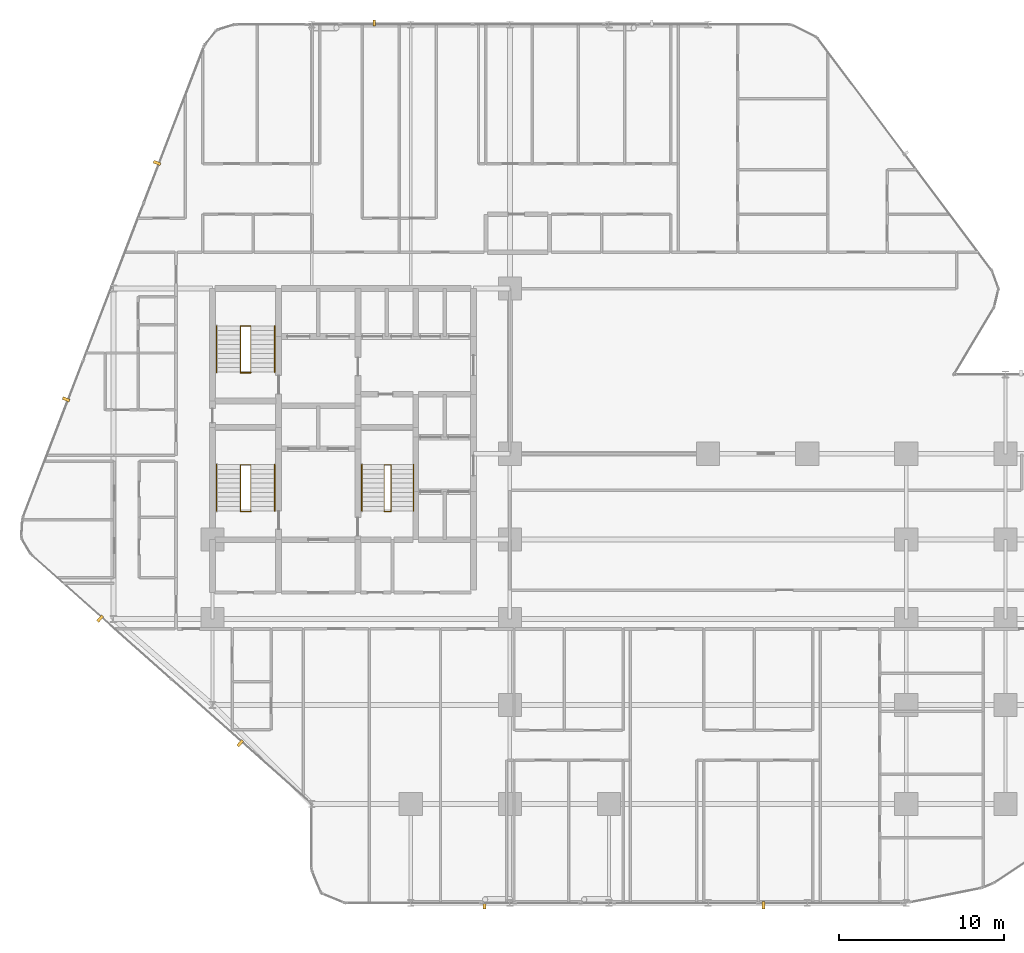
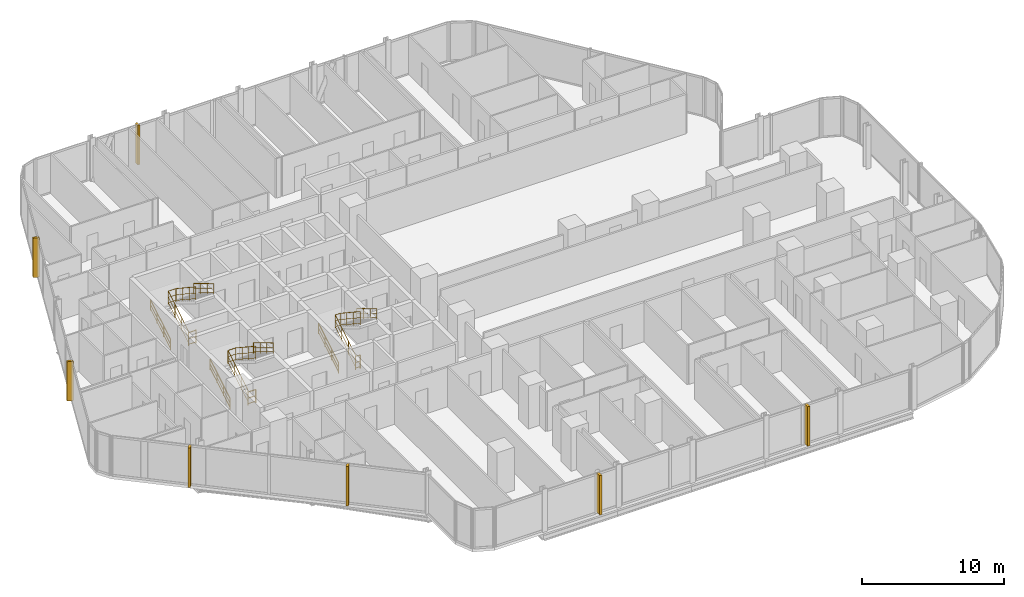
# One storey, part 33 of 34: 12 railings, 7 coverings.
"""IFC4 building model written with IfcOpenShell, lengths in metres."""

from ifc_helpers import new_model, si_unit, direction, frame, origin, origin_2d, place, context, subcontext, project, spatial, rectangle, circle, extrude, material, layer, layer_set, type_object, element, save


model = new_model("IFC4")

# Units and contexts
model_context = context("Model", 3, precision=1e-05, world=origin(), true_north=direction((0.0, 1.0)))
body_context = subcontext(model_context, "Body", "Model", "MODEL_VIEW")
ifc_project = project(units=[si_unit("LENGTHUNIT", "METRE"), si_unit("AREAUNIT", "SQUARE_METRE"), si_unit("VOLUMEUNIT", "CUBIC_METRE"), si_unit("PLANEANGLEUNIT", "RADIAN"), si_unit("MASSUNIT", "GRAM", prefix="KILO")], contexts=[model_context])

# Site, building, storey
site_placement = place(None, origin())
site = spatial("IfcSite", under=ifc_project, at=site_placement, CompositionType="ELEMENT")
building_placement = place(site_placement, origin())
building = spatial("IfcBuilding", under=site, at=building_placement, Name="Keshet Zoharim Tower", CompositionType="ELEMENT")
storey_placement = place(building_placement, frame((0.0, 0.0, 46.199951171875)))
storey = spatial("IfcBuildingStorey", under=building, at=storey_placement, Name="L10", CompositionType="ELEMENT", Elevation=46.199951171875)

# Coverings
ifc_material_1 = material(Name="Concrete C50/60 precast", Category="concrete")
covering_type_1 = type_object("IfcCoveringType", Name="FIN-SOL-360", PredefinedType="CLADDING", material=ifc_material_1)
covering_placement = place(storey_placement, frame((24.780029296875, 53.97998046875, 0.0), z_axis=(0.0, 0.0, 1.0), x_axis=(1.0, 0.0, 0.0)))
element("IfcCovering", 1, at=covering_placement, inside=storey, type_object=covering_type_1, Name="L10 Vertical Precast Solar Fin 05", PredefinedType="CLADDING", context=body_context, shape_type="SweptSolid", body=[
    extrude(rectangle(XDim=0.159912109375, YDim=0.360107421875, at=origin_2d()), origin(), (0.0, 0.0, 1.0), 3.385009765625),
])
covering_type_2 = type_object("IfcCoveringType", Name="FIN-SOL-450", PredefinedType="CLADDING", material=ifc_material_1)
for number, where, z_axis, x_axis, name in (
    (2, (16.676025390625, 10.376953125, 0.0), (0.0, 0.0, 1.0), (-0.747409318679, 0.664363838836, 0.0), "L10 Vertical Precast Solar Fin 01"),
    (3, (8.193115234375, 17.9169921875, 0.0), (0.0, 0.0, 1.0), (-0.747409318679, 0.664363838836, 0.0), "L10 Vertical Precast Solar Fin 02"),
    (4, (6.133056640625, 31.194091796875, 0.0), (0.0, 0.0, 1.0), (0.358990003907, 0.933341404361, 0.0), "L10 Vertical Precast Solar Fin 03"),
    (5, (11.637939453125, 45.507080078125, 0.0), (0.0, 0.0, 1.0), (0.358990003907, 0.933341404361, 0.0), "L10 Vertical Precast Solar Fin 04"),
    (6, (48.35205078125, 0.574951171875, 0.0), (0.0, 0.0, 1.0), (-1.0, 0.0, 0.0), "L10 Vertical Precast Solar Fin 10"),
    (7, (31.450927734375, 0.574951171875, 0.0), (0.0, 0.0, 1.0), (-1.0, 0.0, 0.0), "L10 Vertical Precast Solar Fin 11"),
):
    element("IfcCovering", number, at=place(storey_placement, frame(where, z_axis=z_axis, x_axis=x_axis)), inside=storey, type_object=covering_type_2, Name=name, PredefinedType="CLADDING", context=body_context, shape_type="SweptSolid", body=[
        extrude(rectangle(XDim=0.179931640625, YDim=0.449951171875, at=origin_2d()), origin(), (0.0, 0.0, 1.0), 3.385009765625),
    ])

# Railings
ifc_material_2 = material(Name="Steel S355", Category="steel")
ifc_layer_1 = layer(ifc_material_2, 0.050048828125)
ifc_layer_set_1 = layer_set([ifc_layer_1], Name="Steel S355")
railing_type_1 = type_object("IfcRailingType", Name="RL-HND-092", PredefinedType="HANDRAIL", material=ifc_layer_set_1)
railing_1_placement = place(storey_placement, frame((15.239990234375, 24.43994140625, 0.168212890625)))
element("IfcRailing", 8, at=railing_1_placement, inside=storey, type_object=railing_type_1, Name="L10 ST-01 Flight 1 Wall Handrail", PredefinedType="HANDRAIL", context=body_context, shape_type="SweptSolid", body=[
    extrude(circle(Radius=0.02392578125, at=origin_2d()), frame((0.0, 0.0, 0.89599609375), z_axis=(0.0, 0.857242210791, 0.514913383045), x_axis=(-1.0, 0.0, 0.0)), (0.0, 0.0, 1.0), 3.266357421875),
    extrude(circle(Radius=0.01611328125, at=origin_2d()), frame((0.0, 0.0, 0.478271484375), z_axis=(0.0, 0.857242210791, 0.514913383045), x_axis=(-1.0, 0.0, 0.0)), (0.0, 0.0, 1.0), 3.266357421875),
    extrude(circle(Radius=0.01611328125, at=origin_2d()), frame((0.0, 0.0, 0.1201171875), z_axis=(0.0, 0.857242210791, 0.514913383045), x_axis=(-1.0, 0.0, 0.0)), (0.0, 0.0, 1.0), 3.266357421875),
    extrude(circle(Radius=0.02099609375, at=origin_2d()), origin(), (0.0, 0.0, 1.0), 0.871826171875),
    extrude(circle(Radius=0.02099609375, at=origin_2d()), frame((0.0, 0.933349609375, 0.560546875)), (0.0, 0.0, 1.0), 0.871826171875),
    extrude(circle(Radius=0.02099609375, at=origin_2d()), frame((0.0, 1.86669921875, 1.121337890625)), (0.0, 0.0, 1.0), 0.871826171875),
    extrude(circle(Radius=0.02099609375, at=origin_2d()), frame((0.0, 2.800048828125, 1.681884765625)), (0.0, 0.0, 1.0), 0.871826171875),
])
railing_2_placement = place(storey_placement, frame((18.760009765625, 27.239990234375, 2.018310546875)))
element("IfcRailing", 9, at=railing_2_placement, inside=storey, type_object=railing_type_1, Name="L10 ST-01 Flight 2 Wall Handrail", PredefinedType="HANDRAIL", context=body_context, shape_type="SweptSolid", body=[
    extrude(circle(Radius=0.02392578125, at=origin_2d()), frame((0.0, 0.0, 0.89599609375), z_axis=(0.0, -0.857275202839, 0.514858452973), x_axis=(1.0, 0.0, 0.0)), (0.0, 0.0, 1.0), 3.26611328125),
    extrude(circle(Radius=0.01611328125, at=origin_2d()), frame((0.0, 0.0, 0.478271484375), z_axis=(0.0, -0.857275202839, 0.514858452973), x_axis=(1.0, 0.0, 0.0)), (0.0, 0.0, 1.0), 3.26611328125),
    extrude(circle(Radius=0.01611328125, at=origin_2d()), frame((0.0, 0.0, 0.1201171875), z_axis=(0.0, -0.857275202839, 0.514858452973), x_axis=(1.0, 0.0, 0.0)), (0.0, 0.0, 1.0), 3.26611328125),
    extrude(circle(Radius=0.02099609375, at=origin_2d()), origin(), (0.0, 0.0, 1.0), 0.871826171875),
    extrude(circle(Radius=0.02099609375, at=origin_2d()), frame((0.0, -0.933349609375, 0.560546875)), (0.0, 0.0, 1.0), 0.871826171875),
    extrude(circle(Radius=0.02099609375, at=origin_2d()), frame((0.0, -1.86669921875, 1.12109375)), (0.0, 0.0, 1.0), 0.871826171875),
    extrude(circle(Radius=0.02099609375, at=origin_2d()), frame((0.0, -2.800048828125, 1.681640625)), (0.0, 0.0, 1.0), 0.871826171875),
])
railing_3_placement = place(storey_placement, frame((15.239990234375, 32.840087890625, 0.168212890625)))
element("IfcRailing", 10, at=railing_3_placement, inside=storey, type_object=railing_type_1, Name="L10 ST-02 Flight 1 Wall Handrail", PredefinedType="HANDRAIL", context=body_context, shape_type="SweptSolid", body=[
    extrude(circle(Radius=0.02392578125, at=origin_2d()), frame((0.0, 0.0, 0.89599609375), z_axis=(0.0, 0.857222391501, 0.514946377315), x_axis=(-1.0, 0.0, 0.0)), (0.0, 0.0, 1.0), 3.26611328125),
    extrude(circle(Radius=0.01611328125, at=origin_2d()), frame((0.0, 0.0, 0.478271484375), z_axis=(0.0, 0.857222391501, 0.514946377315), x_axis=(-1.0, 0.0, 0.0)), (0.0, 0.0, 1.0), 3.26611328125),
    extrude(circle(Radius=0.01611328125, at=origin_2d()), frame((0.0, 0.0, 0.1201171875), z_axis=(0.0, 0.857222391501, 0.514946377315), x_axis=(-1.0, 0.0, 0.0)), (0.0, 0.0, 1.0), 3.26611328125),
    extrude(circle(Radius=0.02099609375, at=origin_2d()), origin(), (0.0, 0.0, 1.0), 0.871826171875),
    extrude(circle(Radius=0.02099609375, at=origin_2d()), frame((0.0, 0.933349609375, 0.560546875)), (0.0, 0.0, 1.0), 0.871826171875),
    extrude(circle(Radius=0.02099609375, at=origin_2d()), frame((0.0, 1.866455078125, 1.121337890625)), (0.0, 0.0, 1.0), 0.871826171875),
    extrude(circle(Radius=0.02099609375, at=origin_2d()), frame((0.0, 2.7998046875, 1.681884765625)), (0.0, 0.0, 1.0), 0.871826171875),
])
railing_4_placement = place(storey_placement, frame((18.760009765625, 35.639892578125, 2.018310546875)))
element("IfcRailing", 11, at=railing_4_placement, inside=storey, type_object=railing_type_1, Name="L10 ST-02 Flight 2 Wall Handrail", PredefinedType="HANDRAIL", context=body_context, shape_type="SweptSolid", body=[
    extrude(circle(Radius=0.02392578125, at=origin_2d()), frame((0.0, 0.0, 0.89599609375), z_axis=(0.0, -0.857255387014, 0.514891446264), x_axis=(1.0, 0.0, 0.0)), (0.0, 0.0, 1.0), 3.26611328125),
    extrude(circle(Radius=0.01611328125, at=origin_2d()), frame((0.0, 0.0, 0.478271484375), z_axis=(0.0, -0.857255387014, 0.514891446264), x_axis=(1.0, 0.0, 0.0)), (0.0, 0.0, 1.0), 3.26611328125),
    extrude(circle(Radius=0.01611328125, at=origin_2d()), frame((0.0, 0.0, 0.1201171875), z_axis=(0.0, -0.857255387014, 0.514891446264), x_axis=(1.0, 0.0, 0.0)), (0.0, 0.0, 1.0), 3.26611328125),
    extrude(circle(Radius=0.02099609375, at=origin_2d()), origin(), (0.0, 0.0, 1.0), 0.871826171875),
    extrude(circle(Radius=0.02099609375, at=origin_2d()), frame((0.0, -0.933349609375, 0.560546875)), (0.0, 0.0, 1.0), 0.871826171875),
    extrude(circle(Radius=0.02099609375, at=origin_2d()), frame((0.0, -1.866455078125, 1.12109375)), (0.0, 0.0, 1.0), 0.871826171875),
    extrude(circle(Radius=0.02099609375, at=origin_2d()), frame((0.0, -2.7998046875, 1.681640625)), (0.0, 0.0, 1.0), 0.871826171875),
])
railing_5_placement = place(storey_placement, frame((24.0400390625, 24.43994140625, 0.168212890625)))
element("IfcRailing", 12, at=railing_5_placement, inside=storey, type_object=railing_type_1, Name="L10 ST-03 Flight 1 Wall Handrail", PredefinedType="HANDRAIL", context=body_context, shape_type="SweptSolid", body=[
    extrude(circle(Radius=0.02392578125, at=origin_2d()), frame((0.0, 0.0, 0.89599609375), z_axis=(0.0, 0.857242210791, 0.514913383045), x_axis=(-1.0, 0.0, 0.0)), (0.0, 0.0, 1.0), 3.266357421875),
    extrude(circle(Radius=0.01611328125, at=origin_2d()), frame((0.0, 0.0, 0.478271484375), z_axis=(0.0, 0.857242210791, 0.514913383045), x_axis=(-1.0, 0.0, 0.0)), (0.0, 0.0, 1.0), 3.266357421875),
    extrude(circle(Radius=0.01611328125, at=origin_2d()), frame((0.0, 0.0, 0.1201171875), z_axis=(0.0, 0.857242210791, 0.514913383045), x_axis=(-1.0, 0.0, 0.0)), (0.0, 0.0, 1.0), 3.266357421875),
    extrude(circle(Radius=0.02099609375, at=origin_2d()), origin(), (0.0, 0.0, 1.0), 0.871826171875),
    extrude(circle(Radius=0.02099609375, at=origin_2d()), frame((0.0, 0.933349609375, 0.560546875)), (0.0, 0.0, 1.0), 0.871826171875),
    extrude(circle(Radius=0.02099609375, at=origin_2d()), frame((0.0, 1.86669921875, 1.121337890625)), (0.0, 0.0, 1.0), 0.871826171875),
    extrude(circle(Radius=0.02099609375, at=origin_2d()), frame((0.0, 2.800048828125, 1.681884765625)), (0.0, 0.0, 1.0), 0.871826171875),
])
railing_6_placement = place(storey_placement, frame((27.159912109375, 27.239990234375, 2.018310546875)))
element("IfcRailing", 13, at=railing_6_placement, inside=storey, type_object=railing_type_1, Name="L10 ST-03 Flight 2 Wall Handrail", PredefinedType="HANDRAIL", context=body_context, shape_type="SweptSolid", body=[
    extrude(circle(Radius=0.02392578125, at=origin_2d()), frame((0.0, 0.0, 0.89599609375), z_axis=(0.0, -0.857275202839, 0.514858452973), x_axis=(1.0, 0.0, 0.0)), (0.0, 0.0, 1.0), 3.26611328125),
    extrude(circle(Radius=0.01611328125, at=origin_2d()), frame((0.0, 0.0, 0.478271484375), z_axis=(0.0, -0.857275202839, 0.514858452973), x_axis=(1.0, 0.0, 0.0)), (0.0, 0.0, 1.0), 3.26611328125),
    extrude(circle(Radius=0.01611328125, at=origin_2d()), frame((0.0, 0.0, 0.1201171875), z_axis=(0.0, -0.857275202839, 0.514858452973), x_axis=(1.0, 0.0, 0.0)), (0.0, 0.0, 1.0), 3.26611328125),
    extrude(circle(Radius=0.02099609375, at=origin_2d()), origin(), (0.0, 0.0, 1.0), 0.871826171875),
    extrude(circle(Radius=0.02099609375, at=origin_2d()), frame((0.0, -0.933349609375, 0.560546875)), (0.0, 0.0, 1.0), 0.871826171875),
    extrude(circle(Radius=0.02099609375, at=origin_2d()), frame((0.0, -1.86669921875, 1.12109375)), (0.0, 0.0, 1.0), 0.871826171875),
    extrude(circle(Radius=0.02099609375, at=origin_2d()), frame((0.0, -2.800048828125, 1.681640625)), (0.0, 0.0, 1.0), 0.871826171875),
])
ifc_layer_2 = layer(ifc_material_2, 0.06005859375)
ifc_layer_set_2 = layer_set([ifc_layer_2], Name="Steel S355")
railing_type_2 = type_object("IfcRailingType", Name="RL-STG-115", PredefinedType="GUARDRAIL", material=ifc_layer_set_2)
railing_7_placement = place(storey_placement, frame((16.68994140625, 24.43994140625, 0.168212890625)))
element("IfcRailing", 14, at=railing_7_placement, inside=storey, type_object=railing_type_2, Name="L10 ST-01 Inner Well Guardrail", PredefinedType="GUARDRAIL", context=body_context, shape_type="SweptSolid", body=[
    extrude(circle(Radius=0.02392578125, at=origin_2d()), frame((0.0, 0.0, 1.1259765625), z_axis=(0.0, 0.857242210791, 0.514913383045), x_axis=(-1.0, 0.0, 0.0)), (0.0, 0.0, 1.0), 3.266357421875),
    extrude(circle(Radius=0.01611328125, at=origin_2d()), frame((0.0, 0.0, 0.597900390625), z_axis=(0.0, 0.857242210791, 0.514913383045), x_axis=(-1.0, 0.0, 0.0)), (0.0, 0.0, 1.0), 3.266357421875),
    extrude(circle(Radius=0.01611328125, at=origin_2d()), frame((0.0, 0.0, 0.1201171875), z_axis=(0.0, 0.857242210791, 0.514913383045), x_axis=(-1.0, 0.0, 0.0)), (0.0, 0.0, 1.0), 3.266357421875),
    extrude(circle(Radius=0.02392578125, at=origin_2d()), frame((0.0, 2.800048828125, 2.8076171875), z_axis=(1.0, 0.0, 0.0), x_axis=(0.0, 1.0, 0.0)), (0.0, 0.0, 1.0), 0.6201171875),
    extrude(circle(Radius=0.01611328125, at=origin_2d()), frame((0.0, 2.800048828125, 2.27978515625), z_axis=(1.0, 0.0, 0.0), x_axis=(0.0, 1.0, 0.0)), (0.0, 0.0, 1.0), 0.6201171875),
    extrude(circle(Radius=0.01611328125, at=origin_2d()), frame((0.0, 2.800048828125, 1.802001953125), z_axis=(1.0, 0.0, 0.0), x_axis=(0.0, 1.0, 0.0)), (0.0, 0.0, 1.0), 0.6201171875),
    extrude(circle(Radius=0.02392578125, at=origin_2d()), frame((0.6201171875, 2.800048828125, 2.8076171875), z_axis=(0.0, -0.83435981716, 0.551220187865), x_axis=(1.0, 0.0, 0.0)), (0.0, 0.0, 1.0), 3.35595703125),
    extrude(circle(Radius=0.01611328125, at=origin_2d()), frame((0.6201171875, 2.800048828125, 2.27978515625), z_axis=(0.0, -0.83435981716, 0.551220187865), x_axis=(1.0, 0.0, 0.0)), (0.0, 0.0, 1.0), 3.35595703125),
    extrude(circle(Radius=0.01611328125, at=origin_2d()), frame((0.6201171875, 2.800048828125, 1.802001953125), z_axis=(0.0, -0.83435981716, 0.551220187865), x_axis=(1.0, 0.0, 0.0)), (0.0, 0.0, 1.0), 3.35595703125),
    extrude(circle(Radius=0.02099609375, at=origin_2d()), origin(), (0.0, 0.0, 1.0), 1.101806640625),
    extrude(circle(Radius=0.02099609375, at=origin_2d()), frame((0.0, 0.933349609375, 0.560546875)), (0.0, 0.0, 1.0), 1.101806640625),
    extrude(circle(Radius=0.02099609375, at=origin_2d()), frame((0.0, 1.86669921875, 1.121337890625)), (0.0, 0.0, 1.0), 1.101806640625),
    extrude(circle(Radius=0.02099609375, at=origin_2d()), frame((0.0, 2.800048828125, 1.681884765625)), (0.0, 0.0, 1.0), 1.101806640625),
    extrude(circle(Radius=0.02099609375, at=origin_2d()), frame((0.6201171875, 2.800048828125, 1.681884765625)), (0.0, 0.0, 1.0), 1.101806640625),
    extrude(circle(Radius=0.02099609375, at=origin_2d()), frame((0.6201171875, 1.86669921875, 2.298583984375)), (0.0, 0.0, 1.0), 1.101806640625),
    extrude(circle(Radius=0.02099609375, at=origin_2d()), frame((0.6201171875, 0.933349609375, 2.9150390625)), (0.0, 0.0, 1.0), 1.101806640625),
    extrude(circle(Radius=0.02099609375, at=origin_2d()), frame((0.6201171875, 0.0, 3.53173828125)), (0.0, 0.0, 1.0), 1.101806640625),
])
railing_8_placement = place(storey_placement, frame((16.68994140625, 24.409912109375, 0.0)))
element("IfcRailing", 15, at=railing_8_placement, inside=storey, type_object=railing_type_2, Name="L10 ST-01 Stairwell Floor Guardrail", PredefinedType="GUARDRAIL", context=body_context, shape_type="SweptSolid", body=[
    extrude(circle(Radius=0.02392578125, at=origin_2d()), frame((0.0, 0.0, 1.1259765625), z_axis=(1.0, 0.0, 0.0), x_axis=(0.0, 1.0, 0.0)), (0.0, 0.0, 1.0), 0.6201171875),
    extrude(circle(Radius=0.01611328125, at=origin_2d()), frame((0.0, 0.0, 0.597900390625), z_axis=(1.0, 0.0, 0.0), x_axis=(0.0, 1.0, 0.0)), (0.0, 0.0, 1.0), 0.6201171875),
    extrude(circle(Radius=0.01611328125, at=origin_2d()), frame((0.0, 0.0, 0.1201171875), z_axis=(1.0, 0.0, 0.0), x_axis=(0.0, 1.0, 0.0)), (0.0, 0.0, 1.0), 0.6201171875),
    extrude(circle(Radius=0.02099609375, at=origin_2d()), origin(), (0.0, 0.0, 1.0), 1.101806640625),
    extrude(circle(Radius=0.02099609375, at=origin_2d()), frame((0.6201171875, 0.0, 0.0)), (0.0, 0.0, 1.0), 1.101806640625),
])
railing_9_placement = place(storey_placement, frame((16.68994140625, 32.840087890625, 0.168212890625)))
element("IfcRailing", 16, at=railing_9_placement, inside=storey, type_object=railing_type_2, Name="L10 ST-02 Inner Well Guardrail", PredefinedType="GUARDRAIL", context=body_context, shape_type="SweptSolid", body=[
    extrude(circle(Radius=0.02392578125, at=origin_2d()), frame((0.0, 0.0, 1.1259765625), z_axis=(0.0, 0.857222391501, 0.514946377315), x_axis=(-1.0, 0.0, 0.0)), (0.0, 0.0, 1.0), 3.26611328125),
    extrude(circle(Radius=0.01611328125, at=origin_2d()), frame((0.0, 0.0, 0.597900390625), z_axis=(0.0, 0.857222391501, 0.514946377315), x_axis=(-1.0, 0.0, 0.0)), (0.0, 0.0, 1.0), 3.26611328125),
    extrude(circle(Radius=0.01611328125, at=origin_2d()), frame((0.0, 0.0, 0.1201171875), z_axis=(0.0, 0.857222391501, 0.514946377315), x_axis=(-1.0, 0.0, 0.0)), (0.0, 0.0, 1.0), 3.26611328125),
    extrude(circle(Radius=0.02392578125, at=origin_2d()), frame((0.0, 2.7998046875, 2.8076171875), z_axis=(1.0, 0.0, 0.0), x_axis=(0.0, 1.0, 0.0)), (0.0, 0.0, 1.0), 0.6201171875),
    extrude(circle(Radius=0.01611328125, at=origin_2d()), frame((0.0, 2.7998046875, 2.27978515625), z_axis=(1.0, 0.0, 0.0), x_axis=(0.0, 1.0, 0.0)), (0.0, 0.0, 1.0), 0.6201171875),
    extrude(circle(Radius=0.01611328125, at=origin_2d()), frame((0.0, 2.7998046875, 1.802001953125), z_axis=(1.0, 0.0, 0.0), x_axis=(0.0, 1.0, 0.0)), (0.0, 0.0, 1.0), 0.6201171875),
    extrude(circle(Radius=0.02392578125, at=origin_2d()), frame((0.6201171875, 2.7998046875, 2.8076171875), z_axis=(0.0, -0.834337710781, 0.551253647941), x_axis=(1.0, 0.0, 0.0)), (0.0, 0.0, 1.0), 3.355712890625),
    extrude(circle(Radius=0.01611328125, at=origin_2d()), frame((0.6201171875, 2.7998046875, 2.27978515625), z_axis=(0.0, -0.834337710781, 0.551253647941), x_axis=(1.0, 0.0, 0.0)), (0.0, 0.0, 1.0), 3.355712890625),
    extrude(circle(Radius=0.01611328125, at=origin_2d()), frame((0.6201171875, 2.7998046875, 1.802001953125), z_axis=(0.0, -0.834337710781, 0.551253647941), x_axis=(1.0, 0.0, 0.0)), (0.0, 0.0, 1.0), 3.355712890625),
    extrude(circle(Radius=0.02099609375, at=origin_2d()), origin(), (0.0, 0.0, 1.0), 1.101806640625),
    extrude(circle(Radius=0.02099609375, at=origin_2d()), frame((0.0, 0.933349609375, 0.560546875)), (0.0, 0.0, 1.0), 1.101806640625),
    extrude(circle(Radius=0.02099609375, at=origin_2d()), frame((0.0, 1.866455078125, 1.121337890625)), (0.0, 0.0, 1.0), 1.101806640625),
    extrude(circle(Radius=0.02099609375, at=origin_2d()), frame((0.0, 2.7998046875, 1.681884765625)), (0.0, 0.0, 1.0), 1.101806640625),
    extrude(circle(Radius=0.02099609375, at=origin_2d()), frame((0.6201171875, 2.7998046875, 1.681884765625)), (0.0, 0.0, 1.0), 1.101806640625),
    extrude(circle(Radius=0.02099609375, at=origin_2d()), frame((0.6201171875, 1.866455078125, 2.298583984375)), (0.0, 0.0, 1.0), 1.101806640625),
    extrude(circle(Radius=0.02099609375, at=origin_2d()), frame((0.6201171875, 0.933349609375, 2.9150390625)), (0.0, 0.0, 1.0), 1.101806640625),
    extrude(circle(Radius=0.02099609375, at=origin_2d()), frame((0.6201171875, 0.0, 3.53173828125)), (0.0, 0.0, 1.0), 1.101806640625),
])
railing_10_placement = place(storey_placement, frame((16.68994140625, 32.81005859375, 0.0)))
element("IfcRailing", 17, at=railing_10_placement, inside=storey, type_object=railing_type_2, Name="L10 ST-02 Stairwell Floor Guardrail", PredefinedType="GUARDRAIL", context=body_context, shape_type="SweptSolid", body=[
    extrude(circle(Radius=0.02392578125, at=origin_2d()), frame((0.0, 0.0, 1.1259765625), z_axis=(1.0, 0.0, 0.0), x_axis=(0.0, 1.0, 0.0)), (0.0, 0.0, 1.0), 0.6201171875),
    extrude(circle(Radius=0.01611328125, at=origin_2d()), frame((0.0, 0.0, 0.597900390625), z_axis=(1.0, 0.0, 0.0), x_axis=(0.0, 1.0, 0.0)), (0.0, 0.0, 1.0), 0.6201171875),
    extrude(circle(Radius=0.01611328125, at=origin_2d()), frame((0.0, 0.0, 0.1201171875), z_axis=(1.0, 0.0, 0.0), x_axis=(0.0, 1.0, 0.0)), (0.0, 0.0, 1.0), 0.6201171875),
    extrude(circle(Radius=0.02099609375, at=origin_2d()), origin(), (0.0, 0.0, 1.0), 1.101806640625),
    extrude(circle(Radius=0.02099609375, at=origin_2d()), frame((0.6201171875, 0.0, 0.0)), (0.0, 0.0, 1.0), 1.101806640625),
])
railing_11_placement = place(storey_placement, frame((25.39990234375, 24.43994140625, 0.168212890625)))
element("IfcRailing", 18, at=railing_11_placement, inside=storey, type_object=railing_type_2, Name="L10 ST-03 Inner Well Guardrail", PredefinedType="GUARDRAIL", context=body_context, shape_type="SweptSolid", body=[
    extrude(circle(Radius=0.02392578125, at=origin_2d()), frame((0.0, 0.0, 1.1259765625), z_axis=(0.0, 0.857242210791, 0.514913383045), x_axis=(-1.0, 0.0, 0.0)), (0.0, 0.0, 1.0), 3.266357421875),
    extrude(circle(Radius=0.01611328125, at=origin_2d()), frame((0.0, 0.0, 0.597900390625), z_axis=(0.0, 0.857242210791, 0.514913383045), x_axis=(-1.0, 0.0, 0.0)), (0.0, 0.0, 1.0), 3.266357421875),
    extrude(circle(Radius=0.01611328125, at=origin_2d()), frame((0.0, 0.0, 0.1201171875), z_axis=(0.0, 0.857242210791, 0.514913383045), x_axis=(-1.0, 0.0, 0.0)), (0.0, 0.0, 1.0), 3.266357421875),
    extrude(circle(Radius=0.02392578125, at=origin_2d()), frame((0.0, 2.800048828125, 2.8076171875), z_axis=(1.0, 0.0, 0.0), x_axis=(0.0, 1.0, 0.0)), (0.0, 0.0, 1.0), 0.400146484375),
    extrude(circle(Radius=0.01611328125, at=origin_2d()), frame((0.0, 2.800048828125, 2.27978515625), z_axis=(1.0, 0.0, 0.0), x_axis=(0.0, 1.0, 0.0)), (0.0, 0.0, 1.0), 0.400146484375),
    extrude(circle(Radius=0.01611328125, at=origin_2d()), frame((0.0, 2.800048828125, 1.802001953125), z_axis=(1.0, 0.0, 0.0), x_axis=(0.0, 1.0, 0.0)), (0.0, 0.0, 1.0), 0.400146484375),
    extrude(circle(Radius=0.02392578125, at=origin_2d()), frame((0.400146484375, 2.800048828125, 2.8076171875), z_axis=(0.0, -0.83435981716, 0.551220187865), x_axis=(1.0, 0.0, 0.0)), (0.0, 0.0, 1.0), 3.35595703125),
    extrude(circle(Radius=0.01611328125, at=origin_2d()), frame((0.400146484375, 2.800048828125, 2.27978515625), z_axis=(0.0, -0.83435981716, 0.551220187865), x_axis=(1.0, 0.0, 0.0)), (0.0, 0.0, 1.0), 3.35595703125),
    extrude(circle(Radius=0.01611328125, at=origin_2d()), frame((0.400146484375, 2.800048828125, 1.802001953125), z_axis=(0.0, -0.83435981716, 0.551220187865), x_axis=(1.0, 0.0, 0.0)), (0.0, 0.0, 1.0), 3.35595703125),
    extrude(circle(Radius=0.02099609375, at=origin_2d()), origin(), (0.0, 0.0, 1.0), 1.101806640625),
    extrude(circle(Radius=0.02099609375, at=origin_2d()), frame((0.0, 0.933349609375, 0.560546875)), (0.0, 0.0, 1.0), 1.101806640625),
    extrude(circle(Radius=0.02099609375, at=origin_2d()), frame((0.0, 1.86669921875, 1.121337890625)), (0.0, 0.0, 1.0), 1.101806640625),
    extrude(circle(Radius=0.02099609375, at=origin_2d()), frame((0.0, 2.800048828125, 1.681884765625)), (0.0, 0.0, 1.0), 1.101806640625),
    extrude(circle(Radius=0.02099609375, at=origin_2d()), frame((0.400146484375, 2.800048828125, 1.681884765625)), (0.0, 0.0, 1.0), 1.101806640625),
    extrude(circle(Radius=0.02099609375, at=origin_2d()), frame((0.400146484375, 1.86669921875, 2.298583984375)), (0.0, 0.0, 1.0), 1.101806640625),
    extrude(circle(Radius=0.02099609375, at=origin_2d()), frame((0.400146484375, 0.933349609375, 2.9150390625)), (0.0, 0.0, 1.0), 1.101806640625),
    extrude(circle(Radius=0.02099609375, at=origin_2d()), frame((0.400146484375, 0.0, 3.53173828125)), (0.0, 0.0, 1.0), 1.101806640625),
])
railing_12_placement = place(storey_placement, frame((25.39990234375, 24.409912109375, 0.0)))
element("IfcRailing", 19, at=railing_12_placement, inside=storey, type_object=railing_type_2, Name="L10 ST-03 Stairwell Floor Guardrail", PredefinedType="GUARDRAIL", context=body_context, shape_type="SweptSolid", body=[
    extrude(circle(Radius=0.02392578125, at=origin_2d()), frame((0.0, 0.0, 1.1259765625), z_axis=(1.0, 0.0, 0.0), x_axis=(0.0, 1.0, 0.0)), (0.0, 0.0, 1.0), 0.400146484375),
    extrude(circle(Radius=0.01611328125, at=origin_2d()), frame((0.0, 0.0, 0.597900390625), z_axis=(1.0, 0.0, 0.0), x_axis=(0.0, 1.0, 0.0)), (0.0, 0.0, 1.0), 0.400146484375),
    extrude(circle(Radius=0.01611328125, at=origin_2d()), frame((0.0, 0.0, 0.1201171875), z_axis=(1.0, 0.0, 0.0), x_axis=(0.0, 1.0, 0.0)), (0.0, 0.0, 1.0), 0.400146484375),
    extrude(circle(Radius=0.02099609375, at=origin_2d()), origin(), (0.0, 0.0, 1.0), 1.101806640625),
    extrude(circle(Radius=0.02099609375, at=origin_2d()), frame((0.400146484375, 0.0, 0.0)), (0.0, 0.0, 1.0), 1.101806640625),
])

save(model, "model.ifc")
